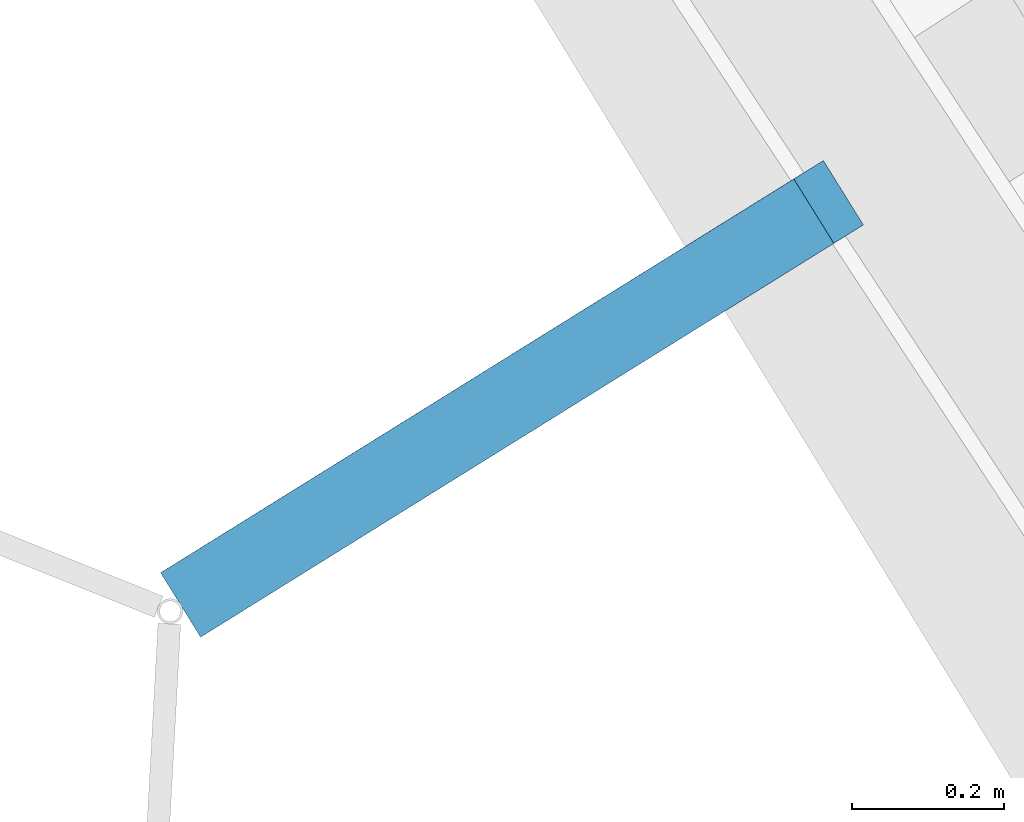
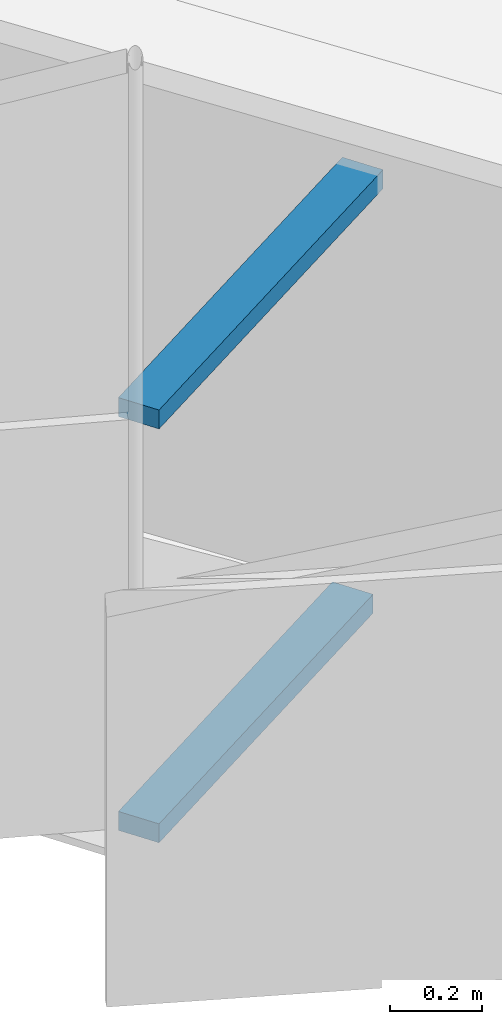
# One storey, part 255 of 483: 2 discrete accessories.
"""IFC4 building model written with IfcOpenShell, lengths in metres."""

from ifc_helpers import new_model, si_unit, direction, frame, origin, origin_2d, place, context, subcontext, project, spatial, rectangle, extrude, material, type_object, element, save


model = new_model("IFC4")

# Units and contexts
model_context = context("Model", 3, precision=1e-05, world=origin(), true_north=direction((0.0, 1.0)))
body_context = subcontext(model_context, "Body", "Model", "MODEL_VIEW")
ifc_project = project(units=[si_unit("LENGTHUNIT", "METRE"), si_unit("AREAUNIT", "SQUARE_METRE"), si_unit("VOLUMEUNIT", "CUBIC_METRE"), si_unit("PLANEANGLEUNIT", "RADIAN"), si_unit("MASSUNIT", "GRAM", prefix="KILO")], contexts=[model_context])

# Site, building, storey
site_placement = place(None, origin())
site = spatial("IfcSite", under=ifc_project, at=site_placement, CompositionType="ELEMENT")
building_placement = place(site_placement, origin())
building = spatial("IfcBuilding", under=site, at=building_placement, Name="Parallax Yard Mobility Hub", CompositionType="ELEMENT")
storey_placement = place(building_placement, frame((0.0, 0.0, 13.199951171875)))
storey = spatial("IfcBuildingStorey", under=building, at=storey_placement, Name="L04", CompositionType="ELEMENT", Elevation=13.199951171875)

# Discrete accessories
ifc_material = material(Name="Steel ASTM A36, hot-dip galvanised", Category="steel")
discrete_accessory_type = type_object("IfcDiscreteAccessoryType", Name="Hinge bracket plate 100x50", PredefinedType="BRACKET", material=ifc_material)
discrete_accessory_1_placement = place(storey_placement, frame((190.94921875, 101.985595703125, -0.02490234375), z_axis=(0.0, 0.0, 1.0), x_axis=(-0.849202181527, -0.52806785065, 0.0)))
element("IfcDiscreteAccessory", 1, at=discrete_accessory_1_placement, inside=storey, type_object=discrete_accessory_type, Name="Hinge bracket plate bay 21.2 level L04", PredefinedType="BRACKET", context=body_context, shape_type="SweptSolid", body=[
    extrude(rectangle(XDim=0.984130859375, YDim=0.10009765625, at=origin_2d()), origin(), (0.0, 0.0, 1.0), 0.050048828125),
])
discrete_accessory_2_placement = place(storey_placement, frame((190.96875, 101.997802734375, 1.06982421875), z_axis=(0.0, 0.0, 1.0), x_axis=(-0.849202181527, -0.52806785065, 0.0)))
element("IfcDiscreteAccessory", 2, at=discrete_accessory_2_placement, inside=storey, type_object=discrete_accessory_type, Name="Hinge bracket plate bay 21.2 level L04", PredefinedType="BRACKET", context=body_context, shape_type="SweptSolid", body=[
    extrude(rectangle(XDim=1.030029296875, YDim=0.10009765625, at=origin_2d()), origin(), (0.0, 0.0, 1.0), 0.050048828125),
])

save(model, "model.ifc")
